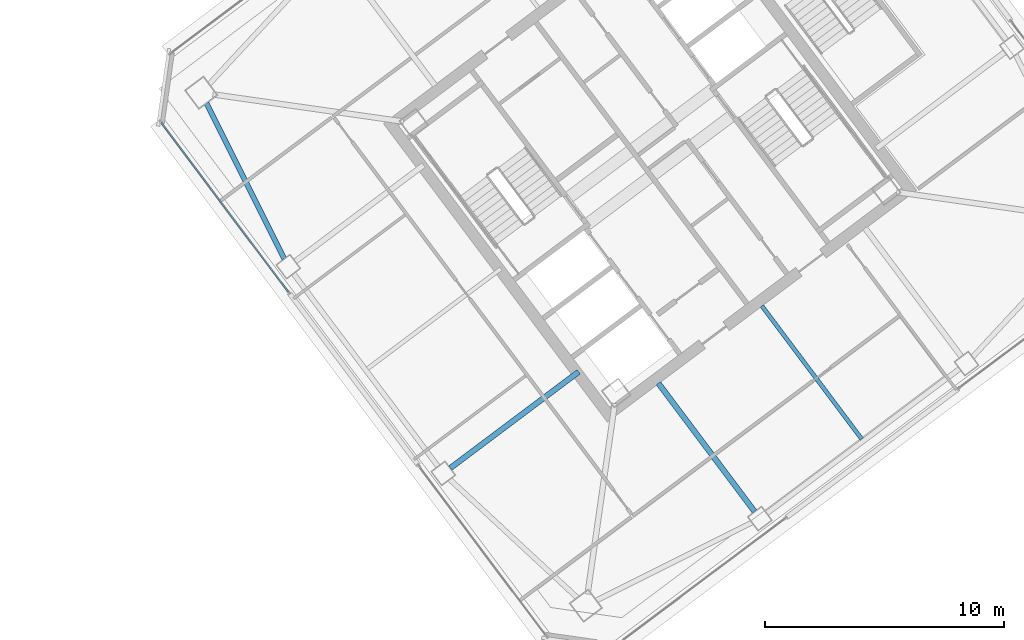
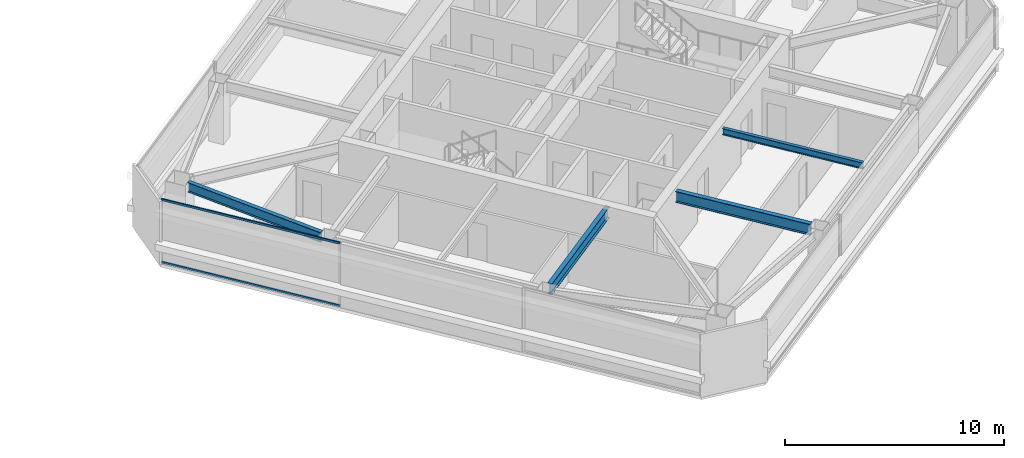
# One storey, part 19 of 39: 4 beams, 2 members, 1 element without a shape of its own.
"""IFC4 building model written with IfcOpenShell, lengths in metres."""

from ifc_helpers import new_model, si_unit, direction, frame, origin, origin_2d, place, context, subcontext, project, spatial, hollow_rectangle, i_section, extrude, material, material_profile, profile_set, type_object, element, aggregate, save


model = new_model("IFC4")

# Units and contexts
model_context = context("Model", 3, precision=1e-05, world=origin(), true_north=direction((0.0, 1.0)))
body_context = subcontext(model_context, "Body", "Model", "MODEL_VIEW")
ifc_project = project(units=[si_unit("LENGTHUNIT", "METRE"), si_unit("AREAUNIT", "SQUARE_METRE"), si_unit("VOLUMEUNIT", "CUBIC_METRE"), si_unit("PLANEANGLEUNIT", "RADIAN"), si_unit("MASSUNIT", "GRAM", prefix="KILO")], contexts=[model_context])

# Site, building, storey
site_placement = place(None, origin())
site = spatial("IfcSite", under=ifc_project, at=site_placement, CompositionType="ELEMENT")
building_placement = place(site_placement, origin())
building = spatial("IfcBuilding", under=site, at=building_placement, Name="Tashvorn Skyway Center", CompositionType="ELEMENT")
storey_placement = place(building_placement, frame((0.0, 0.0, 207.75)))
storey = spatial("IfcBuildingStorey", under=building, at=storey_placement, Name="L56", CompositionType="ELEMENT", Elevation=207.75)

# Beams
ifc_material_1 = material(Name="Steel ASTM A992 Grade 50", Category="steel")
ifc_material_profile_1 = material_profile(ifc_material_1, i_section(OverallWidth=0.22998046875, OverallDepth=0.616943359375, WebThickness=0.01318359375, FlangeThickness=0.022216796875, at=origin_2d()), Name="W24X94")
ifc_profile_set_1 = profile_set([ifc_material_profile_1], Name="Steel ASTM A992 Grade 50")
beam_type_1 = type_object("IfcBeamType", Name="BM-BEAM-W24X94", PredefinedType="BEAM", material=ifc_profile_set_1)
beam_1_placement = place(storey_placement, frame((118.367919921875, 17.176025390625, 3.0615234375), z_axis=(-0.600011660554, 0.799991254452, 0.0), x_axis=(-0.799991254452, -0.600011660554, 0.0)))
element("IfcBeam", 1, at=beam_1_placement, inside=storey, type_object=beam_type_1, Name="Tower 2 L56 Primary Floor Girder FC-S1", PredefinedType="BEAM", context=body_context, shape_type="SweptSolid", body=[
    extrude(i_section(OverallWidth=0.22998046875, OverallDepth=0.616943359375, WebThickness=0.01318359375, FlangeThickness=0.022216796875, at=origin_2d()), origin(), (0.0, 0.0, 1.0), 6.699951171875),
])
beam_2_placement = place(storey_placement, frame((105.656005859375, 18.991943359375, 3.0615234375), z_axis=(0.800004372583, 0.599994169845, 0.0), x_axis=(-0.599994169845, 0.800004372583, 0.0)))
element("IfcBeam", 2, at=beam_2_placement, inside=storey, type_object=beam_type_1, Name="Tower 2 L56 Primary Floor Girder FC-W2", PredefinedType="BEAM", context=body_context, shape_type="SweptSolid", body=[
    extrude(i_section(OverallWidth=0.22998046875, OverallDepth=0.616943359375, WebThickness=0.01318359375, FlangeThickness=0.022216796875, at=origin_2d()), origin(), (0.0, 0.0, 1.0), 6.7001953125),
])
ifc_material_profile_2 = material_profile(ifc_material_1, i_section(OverallWidth=0.1708984375, OverallDepth=0.35498046875, WebThickness=0.007080078125, FlangeThickness=0.01171875, at=origin_2d()), Name="W14X34")
ifc_profile_set_2 = profile_set([ifc_material_profile_2], Name="Steel ASTM A992 Grade 50")
beam_type_2 = type_object("IfcBeamType", Name="BM-JOIST-W14X34", PredefinedType="JOIST", material=ifc_profile_set_2)
beam_3_placement = place(storey_placement, frame((118.674072265625, 25.76806640625, 3.1923828125), z_axis=(0.599994389612, -0.800004207761, 0.0), x_axis=(0.800004207761, 0.599994389612, 0.0)))
element("IfcBeam", 3, at=beam_3_placement, inside=storey, type_object=beam_type_2, Name="Tower 2 L56 Secondary Composite Joist JS", PredefinedType="JOIST", context=body_context, shape_type="SweptSolid", body=[
    extrude(i_section(OverallWidth=0.1708984375, OverallDepth=0.35498046875, WebThickness=0.007080078125, FlangeThickness=0.01171875, at=origin_2d()), origin(), (0.0, 0.0, 1.0), 6.962646484375),
])
ifc_material_profile_3 = material_profile(ifc_material_1, i_section(OverallWidth=0.2109375, OverallDepth=0.5390625, WebThickness=0.01171875, FlangeThickness=0.018798828125, at=origin_2d()), Name="W21X73")
ifc_profile_set_3 = profile_set([ifc_material_profile_3], Name="Steel ASTM A992 Grade 50")
beam_type_3 = type_object("IfcBeamType", Name="BM-SPANDREL-W21X73", PredefinedType="SPANDREL", material=ifc_profile_set_3)
beam_4_placement = place(storey_placement, frame((95.461669921875, 34.2373046875, 3.1005859375), z_axis=(0.447710870872, -0.894178380472, 0.0), x_axis=(0.894178380472, 0.447710870872, 0.0)))
element("IfcBeam", 4, at=beam_4_placement, inside=storey, type_object=beam_type_3, Name="Tower 2 L56 Spandrel Beam 10", PredefinedType="SPANDREL", context=body_context, shape_type="SweptSolid", body=[
    extrude(i_section(OverallWidth=0.2109375, OverallDepth=0.5390625, WebThickness=0.01171875, FlangeThickness=0.018798828125, at=origin_2d()), origin(), (0.0, 0.0, 1.0), 7.26513671875),
])

# Curtain wall, members
ifc_material_2 = material(Name="Thermally broken bronze-anodized aluminium 6063-T6", Category="aluminium")
curtain_wall_type = type_object("IfcCurtainWallType", Name="CW-CW-Z5", PredefinedType="NOTDEFINED", material=ifc_material_2)
curtain_wall_placement = place(storey_placement, origin())
curtain_wall = element("IfcCurtainWall", 5, at=curtain_wall_placement, inside=storey, type_object=curtain_wall_type, Name="Tower 2 L56 West Unitised Curtain Wall Glazing Group 2", PredefinedType="NOTDEFINED")
ifc_material_profile_4 = material_profile(ifc_material_2, hollow_rectangle(XDim=0.070068359375, YDim=0.114990234375, WallThickness=0.00390625, at=origin_2d()), Name="ALU-TRAN-70x115")
ifc_profile_set_4 = profile_set([ifc_material_profile_4], Name="Thermally broken bronze-anodized aluminium 6063-T6")
member_type = type_object("IfcMemberType", Name="CWT-CW-Z5", PredefinedType="USERDEFINED", material=ifc_profile_set_4)
member_1_placement = place(storey_placement, frame((98.8779296875, 26.36279296875, 0.034912109375), z_axis=(-0.6, 0.8, 0.0), x_axis=(-0.8, -0.6, 0.0)))
member_1 = element("IfcMember", 6, at=member_1_placement, type_object=member_type, Name="CW-Z5 transom 1.1", ObjectType="TRANSOM", PredefinedType="USERDEFINED", context=body_context, shape_type="SweptSolid", body=[
    extrude(hollow_rectangle(XDim=0.070068359375, YDim=0.114990234375, WallThickness=0.00390625, at=origin_2d()), origin(), (0.0, 0.0, 1.0), 8.846435546875),
])
member_2_placement = place(storey_placement, frame((98.8779296875, 26.36279296875, 3.514892578125), z_axis=(-0.6, 0.8, 0.0), x_axis=(-0.8, -0.6, 0.0)))
member_2 = element("IfcMember", 7, at=member_2_placement, type_object=member_type, Name="CW-Z5 transom 1.2", ObjectType="TRANSOM", PredefinedType="USERDEFINED", context=body_context, shape_type="SweptSolid", body=[
    extrude(hollow_rectangle(XDim=0.070068359375, YDim=0.114990234375, WallThickness=0.00390625, at=origin_2d()), origin(), (0.0, 0.0, 1.0), 8.846435546875),
])
aggregate(curtain_wall, [member_1, member_2])

save(model, "model.ifc")
